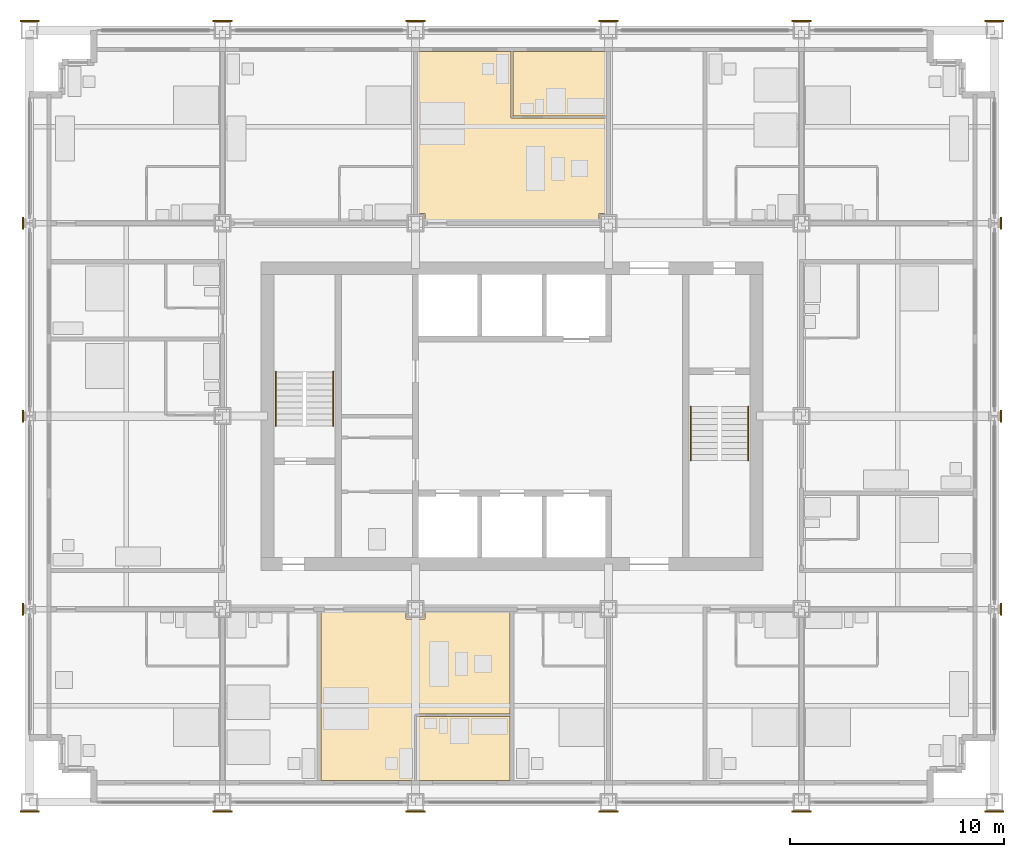
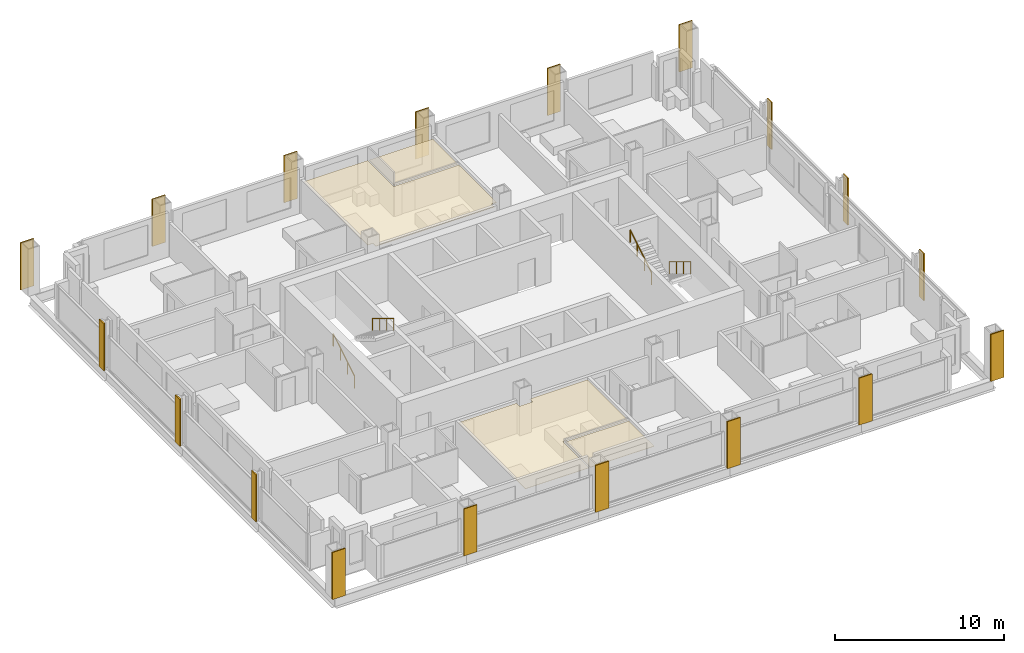
# One storey, part 14 of 16: 22 coverings, 4 railings.
"""IFC4 building model written with IfcOpenShell, lengths in metres."""

from ifc_helpers import new_model, si_unit, direction, frame, origin, origin_2d, place, context, subcontext, project, spatial, polyline, rectangle, circle, outline, extrude, material, layer, layer_set, type_object, element, save


model = new_model("IFC4")

# Units and contexts
model_context = context("Model", 3, precision=1e-05, world=origin(), true_north=direction((0.0, 1.0)))
body_context = subcontext(model_context, "Body", "Model", "MODEL_VIEW")
ifc_project = project(units=[si_unit("LENGTHUNIT", "METRE"), si_unit("AREAUNIT", "SQUARE_METRE"), si_unit("VOLUMEUNIT", "CUBIC_METRE"), si_unit("PLANEANGLEUNIT", "RADIAN"), si_unit("MASSUNIT", "GRAM", prefix="KILO")], contexts=[model_context])

# Site, building, storey
site_placement = place(None, origin())
site = spatial("IfcSite", under=ifc_project, at=site_placement, CompositionType="ELEMENT")
building_placement = place(site_placement, origin())
building = spatial("IfcBuilding", under=site, at=building_placement, Name="Loomwork Tower", CompositionType="ELEMENT")
storey_placement = place(building_placement, frame((0.0, 0.0, 121.39990234375)))
storey = spatial("IfcBuildingStorey", under=building, at=storey_placement, Name="L32", CompositionType="ELEMENT", Elevation=121.39990234375)

# Railings
ifc_material_1 = material(Name="Stainless steel handrail", Category="steel")
railing_type = type_object("IfcRailingType", Name="Handrail 900", PredefinedType="HANDRAIL", material=ifc_material_1)
railing_1_placement = place(storey_placement, frame((11.485107421875, 17.550048828125, 0.170166015625)))
element("IfcRailing", 1, at=railing_1_placement, inside=storey, type_object=railing_type, Name="Stair A handrail flight 1 L32", PredefinedType="HANDRAIL", context=body_context, shape_type="SweptSolid", body=[
    extrude(circle(Radius=0.02392578125, at=origin_2d()), frame((0.0, 0.0, 0.8759765625), z_axis=(0.0, 0.85478489116, 0.518982456201), x_axis=(-1.0, 0.0, 0.0)), (0.0, 0.0, 1.0), 2.9482421875),
    extrude(circle(Radius=0.02099609375, at=origin_2d()), origin(), (0.0, 0.0, 1.0), 0.851806640625),
    extrude(circle(Radius=0.02099609375, at=origin_2d()), frame((0.0, 0.840087890625, 0.510009765625)), (0.0, 0.0, 1.0), 0.851806640625),
    extrude(circle(Radius=0.02099609375, at=origin_2d()), frame((0.0, 1.679931640625, 1.02001953125)), (0.0, 0.0, 1.0), 0.851806640625),
    extrude(circle(Radius=0.02099609375, at=origin_2d()), frame((0.0, 2.52001953125, 1.530029296875)), (0.0, 0.0, 1.0), 0.851806640625),
])
for number, where, name in (
    (2, (14.1650390625, 20.070068359375, 1.8701171875), "Stair A handrail flight 2 L32"),
    (3, (33.514892578125, 18.449951171875, 0.170166015625), "Stair B handrail flight 1 L32"),
):
    element("IfcRailing", number, at=place(storey_placement, frame(where)), inside=storey, type_object=railing_type, Name=name, PredefinedType="HANDRAIL", context=body_context, shape_type="SweptSolid", body=[
        extrude(circle(Radius=0.02392578125, at=origin_2d()), frame((0.0, 0.0, 0.8759765625), z_axis=(0.0, -0.85478489116, 0.518982456201), x_axis=(1.0, 0.0, 0.0)), (0.0, 0.0, 1.0), 2.9482421875),
        extrude(circle(Radius=0.02099609375, at=origin_2d()), origin(), (0.0, 0.0, 1.0), 0.851806640625),
        extrude(circle(Radius=0.02099609375, at=origin_2d()), frame((0.0, -0.840087890625, 0.510009765625)), (0.0, 0.0, 1.0), 0.851806640625),
        extrude(circle(Radius=0.02099609375, at=origin_2d()), frame((0.0, -1.679931640625, 1.02001953125)), (0.0, 0.0, 1.0), 0.851806640625),
        extrude(circle(Radius=0.02099609375, at=origin_2d()), frame((0.0, -2.52001953125, 1.530029296875)), (0.0, 0.0, 1.0), 0.851806640625),
    ])
railing_2_placement = place(storey_placement, frame((30.8349609375, 15.929931640625, 1.8701171875)))
element("IfcRailing", 4, at=railing_2_placement, inside=storey, type_object=railing_type, Name="Stair B handrail flight 2 L32", PredefinedType="HANDRAIL", context=body_context, shape_type="SweptSolid", body=[
    extrude(circle(Radius=0.02392578125, at=origin_2d()), frame((0.0, 0.0, 0.8759765625), z_axis=(0.0, 0.85478489116, 0.518982456201), x_axis=(-1.0, 0.0, 0.0)), (0.0, 0.0, 1.0), 2.9482421875),
    extrude(circle(Radius=0.02099609375, at=origin_2d()), origin(), (0.0, 0.0, 1.0), 0.851806640625),
    extrude(circle(Radius=0.02099609375, at=origin_2d()), frame((0.0, 0.840087890625, 0.510009765625)), (0.0, 0.0, 1.0), 0.851806640625),
    extrude(circle(Radius=0.02099609375, at=origin_2d()), frame((0.0, 1.679931640625, 1.02001953125)), (0.0, 0.0, 1.0), 0.851806640625),
    extrude(circle(Radius=0.02099609375, at=origin_2d()), frame((0.0, 2.52001953125, 1.530029296875)), (0.0, 0.0, 1.0), 0.851806640625),
])

# Coverings
ifc_material_2 = material(Name="Limestone", Category="masonry")
ifc_layer_1 = layer(ifc_material_2, 0.080078125)
ifc_layer_set_1 = layer_set([ifc_layer_1], Name="Limestone pier facing 80")
covering_type_1 = type_object("IfcCoveringType", Name="Limestone pier facing 80", PredefinedType="CLADDING", material=ifc_layer_set_1)
covering_1_placement = place(storey_placement, frame((0.0, -0.43994140625, 0.000244140625), z_axis=(0.0, 0.0, 1.0), x_axis=(1.0, 0.0, 0.0)))
element("IfcCovering", 5, at=covering_1_placement, inside=storey, type_object=covering_type_1, Name="Pier facing D/2 L32", PredefinedType="CLADDING", context=body_context, shape_type="SweptSolid", body=[
    extrude(rectangle(XDim=0.89990234375, YDim=0.080078125, at=origin_2d()), origin(), (0.0, 0.0, 1.0), 3.39990234375),
])
for number, where, z_axis, x_axis, name in (
    (6, (-0.314208984375, 9.0, 0.000244140625), (0.0, 0.0, 1.0), (1.0, 0.0, 0.0), "Pier facing E/2 L32"),
    (7, (-0.314208984375, 18.0, 0.000244140625), (0.0, 0.0, 1.0), (1.0, 0.0, 0.0), "Pier facing F/2 L32"),
    (8, (-0.314208984375, 27.0, 0.000244140625), (0.0, 0.0, 1.0), (1.0, 0.0, 0.0), "Pier facing G/2 L32"),
):
    element("IfcCovering", number, at=place(storey_placement, frame(where, z_axis=z_axis, x_axis=x_axis)), inside=storey, type_object=covering_type_1, Name=name, PredefinedType="CLADDING", context=body_context, shape_type="SweptSolid", body=[
        extrude(rectangle(XDim=0.080078125, YDim=0.549560546875, at=origin_2d()), origin(), (0.0, 0.0, 1.0), 3.39990234375),
    ])
for number, where, z_axis, x_axis, name in (
    (9, (0.0, 36.43994140625, 0.000244140625), (0.0, 0.0, 1.0), (1.0, 0.0, 0.0), "Pier facing H/2 L32"),
    (10, (9.0, -0.43994140625, 0.000244140625), (0.0, 0.0, 1.0), (1.0, 0.0, 0.0), "Pier facing D/3 L32"),
    (11, (9.0, 36.43994140625, 0.000244140625), (0.0, 0.0, 1.0), (1.0, 0.0, 0.0), "Pier facing H/3 L32"),
    (12, (18.0, -0.43994140625, 0.000244140625), (0.0, 0.0, 1.0), (1.0, 0.0, 0.0), "Pier facing D/4 L32"),
    (13, (18.0, 36.43994140625, 0.000244140625), (0.0, 0.0, 1.0), (1.0, 0.0, 0.0), "Pier facing H/4 L32"),
    (14, (27.0, -0.43994140625, 0.000244140625), (0.0, 0.0, 1.0), (1.0, 0.0, 0.0), "Pier facing D/5 L32"),
    (15, (27.0, 36.43994140625, 0.000244140625), (0.0, 0.0, 1.0), (1.0, 0.0, 0.0), "Pier facing H/5 L32"),
    (16, (36.0, -0.43994140625, 0.000244140625), (0.0, 0.0, 1.0), (1.0, 0.0, 0.0), "Pier facing D/6 L32"),
    (17, (36.0, 36.43994140625, 0.000244140625), (0.0, 0.0, 1.0), (1.0, 0.0, 0.0), "Pier facing H/6 L32"),
    (18, (45.0, -0.43994140625, 0.000244140625), (0.0, 0.0, 1.0), (1.0, 0.0, 0.0), "Pier facing D/7 L32"),
):
    element("IfcCovering", number, at=place(storey_placement, frame(where, z_axis=z_axis, x_axis=x_axis)), inside=storey, type_object=covering_type_1, Name=name, PredefinedType="CLADDING", context=body_context, shape_type="SweptSolid", body=[
        extrude(rectangle(XDim=0.89990234375, YDim=0.080078125, at=origin_2d()), origin(), (0.0, 0.0, 1.0), 3.39990234375),
    ])
for number, where, z_axis, x_axis, name in (
    (19, (45.314208984375, 9.0, 0.000244140625), (0.0, 0.0, 1.0), (1.0, 0.0, 0.0), "Pier facing E/7 L32"),
    (20, (45.314208984375, 18.0, 0.000244140625), (0.0, 0.0, 1.0), (1.0, 0.0, 0.0), "Pier facing F/7 L32"),
    (21, (45.314208984375, 27.0, 0.000244140625), (0.0, 0.0, 1.0), (1.0, 0.0, 0.0), "Pier facing G/7 L32"),
):
    element("IfcCovering", number, at=place(storey_placement, frame(where, z_axis=z_axis, x_axis=x_axis)), inside=storey, type_object=covering_type_1, Name=name, PredefinedType="CLADDING", context=body_context, shape_type="SweptSolid", body=[
        extrude(rectangle(XDim=0.080078125, YDim=0.549560546875, at=origin_2d()), origin(), (0.0, 0.0, 1.0), 3.39990234375),
    ])
covering_2_placement = place(storey_placement, frame((45.0, 36.43994140625, 0.000244140625), z_axis=(0.0, 0.0, 1.0), x_axis=(1.0, 0.0, 0.0)))
element("IfcCovering", 22, at=covering_2_placement, inside=storey, type_object=covering_type_1, Name="Pier facing H/7 L32", PredefinedType="CLADDING", context=body_context, shape_type="SweptSolid", body=[
    extrude(rectangle(XDim=0.89990234375, YDim=0.080078125, at=origin_2d()), origin(), (0.0, 0.0, 1.0), 3.39990234375),
])
ifc_material_3 = material(Name="Mineral fibre acoustic tile on suspension grid")
ifc_layer_2 = layer(ifc_material_3, 0.02490234375)
ifc_layer_set_2 = layer_set([ifc_layer_2], Name="Suspended acoustic ceiling")
covering_type_2 = type_object("IfcCoveringType", Name="Suspended acoustic ceiling", PredefinedType="CEILING", material=ifc_layer_set_2)
covering_3_placement = place(storey_placement, frame((0.0, 0.0, 2.175048828125)))
element("IfcCovering", 23, at=covering_3_placement, inside=storey, type_object=covering_type_2, Name="Ceiling Spa bathroom L32", PredefinedType="CEILING", context=body_context, shape_type="SweptSolid", body=[
    extrude(outline(polyline([(22.39990234375, 4.0), (22.39990234375, 1.0), (18.050048828125, 1.0), (18.050048828125, 4.0), (22.39990234375, 4.0)])), origin(), (0.0, 0.0, 1.0), 0.025146484375),
])
covering_4_placement = place(storey_placement, frame((0.0, 0.0, 2.175048828125)))
element("IfcCovering", 24, at=covering_4_placement, inside=storey, type_object=covering_type_2, Name="Ceiling Spa suite L32", PredefinedType="CEILING", context=body_context, shape_type="SweptSolid", body=[
    extrude(outline(polyline([(17.550048828125, 8.89990234375), (17.550048828125, 8.550048828125), (18.449951171875, 8.550048828125), (18.449951171875, 8.89990234375), (22.39990234375, 8.89990234375), (22.39990234375, 4.10009765625), (17.949951171875, 4.10009765625), (17.949951171875, 1.0), (13.60009765625, 1.0), (13.60009765625, 8.89990234375), (17.550048828125, 8.89990234375)])), origin(), (0.0, 0.0, 1.0), 0.025146484375),
])
covering_5_placement = place(storey_placement, frame((0.0, 0.0, 2.175048828125)))
element("IfcCovering", 25, at=covering_5_placement, inside=storey, type_object=covering_type_2, Name="Ceiling Spa bathroom L32", PredefinedType="CEILING", context=body_context, shape_type="SweptSolid", body=[
    extrude(outline(polyline([(22.550048828125, 35.0), (26.89990234375, 35.0), (26.89990234375, 32.0), (22.550048828125, 32.0), (22.550048828125, 35.0)])), origin(), (0.0, 0.0, 1.0), 0.025146484375),
])
covering_6_placement = place(storey_placement, frame((0.0, 0.0, 2.175048828125)))
element("IfcCovering", 26, at=covering_6_placement, inside=storey, type_object=covering_type_2, Name="Ceiling Spa suite L32", PredefinedType="CEILING", context=body_context, shape_type="SweptSolid", body=[
    extrude(outline(polyline([(18.10009765625, 35.0), (22.449951171875, 35.0), (22.449951171875, 31.89990234375), (26.89990234375, 31.89990234375), (26.89990234375, 27.449951171875), (26.550048828125, 27.449951171875), (26.550048828125, 27.10009765625), (18.449951171875, 27.10009765625), (18.449951171875, 27.449951171875), (18.10009765625, 27.449951171875), (18.10009765625, 35.0)])), origin(), (0.0, 0.0, 1.0), 0.025146484375),
])

save(model, "model.ifc")
